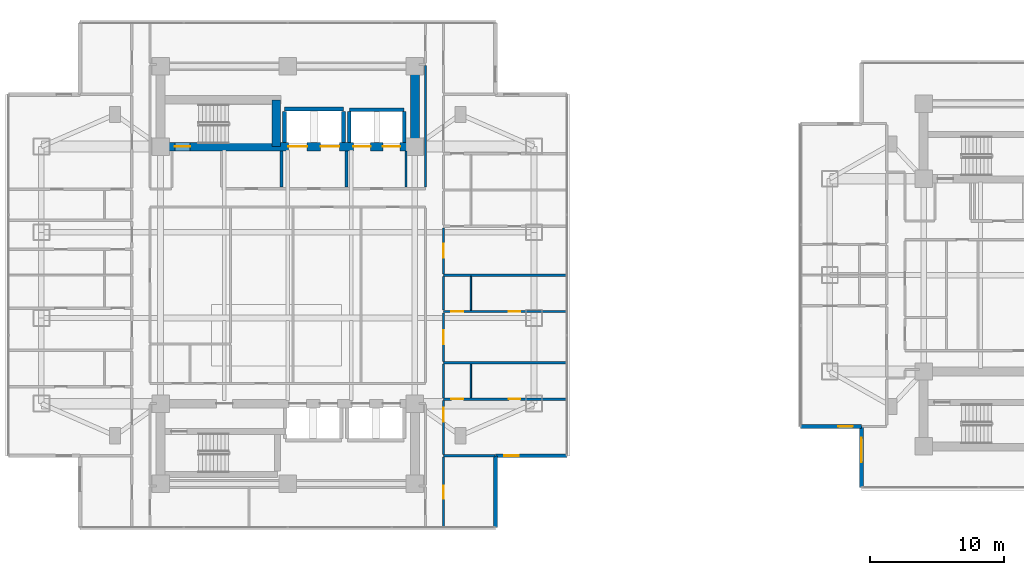
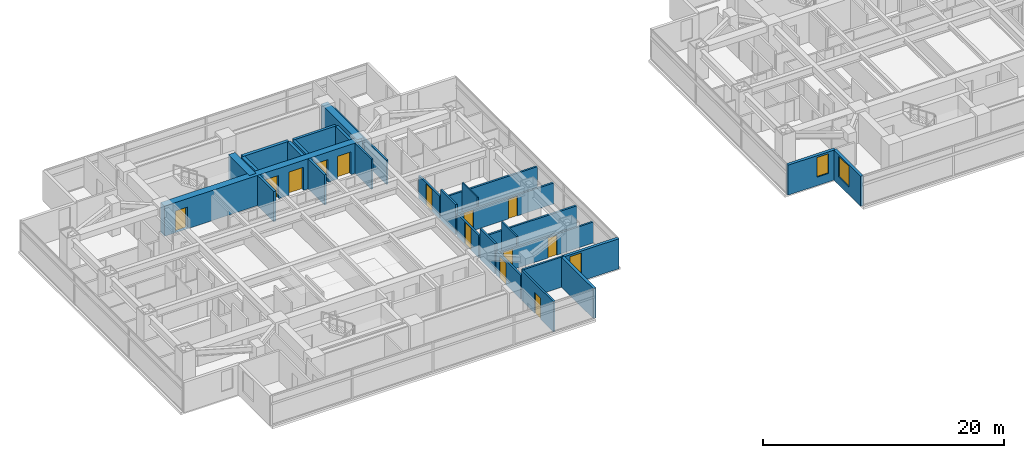
# One storey, part 15 of 27: 30 walls, 13 doors, 3 windows, 16 openings.
"""IFC4 building model written with IfcOpenShell, lengths in metres."""

import ifcopenshell
import ifcopenshell.guid

model = None  # the IFC model being written
_history = None  # IfcOwnerHistory: only IFC2X3 demands one
_inside = {}  # id of a spatial element -> (the spatial element, [elements in it])
_under = {}  # id of a project, library or spatial element -> (it, [spatial elements below it])
_declared = {}  # id of a project -> (the project, [libraries it declares])
_typed = {}  # id of a type object -> (the type object, [elements of that type])
_made_of = {}  # id of a material, layer set ... -> (it, [elements and type objects made of it])


def new_model(schema):
    """Start an empty IFC model of exactly this schema.

    Asked for "IFC4X3", IfcOpenShell would pick the latest addendum, in which some entities
    have other attributes; the version numbers below select the first issue.
    IFC2X3 requires an IfcOwnerHistory on every rooted entity: one is made here for all.
    """
    global model, _history
    if schema == "IFC4X3":
        model = ifcopenshell.file(schema_version=(4, 3, 0, 0))
    else:
        model = ifcopenshell.file(schema=schema)
    _inside.clear()
    _under.clear()
    _declared.clear()
    _typed.clear()
    _made_of.clear()
    _history = None
    if model.schema == "IFC2X3":
        org = make("IfcOrganization", Name="unknown")
        user = make(
            "IfcPersonAndOrganization",
            ThePerson=make("IfcPerson", FamilyName="unknown"),
            TheOrganization=org,
        )
        app = make(
            "IfcApplication",
            ApplicationDeveloper=org,
            Version="unknown",
            ApplicationFullName="unknown",
            ApplicationIdentifier="unknown",
        )
        _history = make(
            "IfcOwnerHistory",
            OwningUser=user,
            OwningApplication=app,
            ChangeAction="ADDED",
            CreationDate=0,
        )
    return model


def make(cls, **values):
    """One entity of the class cls with the attributes given. An attribute that is None is left unset."""
    return model.create_entity(
        cls, **{name: value for name, value in values.items() if value is not None}
    )


def rooted(cls, **values):
    """An entity with a GlobalId (a new one), such as an element, a storey or a relation."""
    return make(cls, GlobalId=ifcopenshell.guid.new(), OwnerHistory=_history, **values)


def si_unit(unit_type, name, prefix=None):
    """IfcSIUnit, for example si_unit("LENGTHUNIT", "METRE", prefix="MILLI")."""
    return make("IfcSIUnit", UnitType=unit_type, Prefix=prefix, Name=name)


def assignment(units):
    """IfcUnitAssignment: the units of a project."""
    return None if units is None else make("IfcUnitAssignment", Units=units)


def point(xyz):
    """IfcCartesianPoint."""
    return None if xyz is None else make("IfcCartesianPoint", Coordinates=xyz)


def direction(xyz):
    """IfcDirection."""
    return None if xyz is None else make("IfcDirection", DirectionRatios=xyz)


def frame(location, z_axis=None, x_axis=None):
    """IfcAxis2Placement3D, a coordinate frame: its origin and axes. An axis left out is left unset."""
    return make(
        "IfcAxis2Placement3D",
        Location=point(location),
        Axis=direction(z_axis),
        RefDirection=direction(x_axis),
    )


def frame_2d(location, x_axis=None):
    """IfcAxis2Placement2D, a coordinate frame in the plane: its origin and x axis."""
    return make(
        "IfcAxis2Placement2D", Location=point(location), RefDirection=direction(x_axis)
    )


def origin():
    """The frame at (0, 0, 0) with its axes left unset."""
    return frame((0.0, 0.0, 0.0))


def place(relative_to, where):
    """IfcLocalPlacement: puts the frame where relative to a parent placement (None: the world)."""
    return make(
        "IfcLocalPlacement", PlacementRelTo=relative_to, RelativePlacement=where
    )


def context(
    kind, dimensions, precision=None, world=None, true_north=None, identifier=None
):
    """IfcGeometricRepresentationContext, for example the 3D "Model" context."""
    return make(
        "IfcGeometricRepresentationContext",
        ContextIdentifier=identifier,
        ContextType=kind,
        CoordinateSpaceDimension=dimensions,
        Precision=precision,
        WorldCoordinateSystem=world,
        TrueNorth=true_north,
    )


def subcontext(parent, identifier, kind, view, scale=None):
    """IfcGeometricRepresentationSubContext, for example "Body" below "Model"."""
    return make(
        "IfcGeometricRepresentationSubContext",
        ContextIdentifier=identifier,
        ContextType=kind,
        ParentContext=parent,
        TargetScale=scale,
        TargetView=view,
    )


def project(units=None, contexts=None):
    """IfcProject with its units and contexts."""
    return rooted(
        "IfcProject",
        Name="project",
        RepresentationContexts=contexts,
        UnitsInContext=assignment(units),
    )


def spatial(cls, under=None, at=None, **own):
    """A site, building, storey or space (cls), placed at a placement, below another one or the project."""
    s = rooted(cls, ObjectPlacement=at, **own)
    if under is not None:
        _under.setdefault(under.id(), (under, []))[1].append(s)
    return s


def profile(cls, at=None, kind="AREA", **sizes):
    """A parametric profile (cls). Its sizes go by their IFC names, for example OverallWidth=200.0."""
    return make(cls, ProfileType=kind, Position=at, **sizes)


def rectangle(**sizes):
    """IfcRectangleProfileDef."""
    return profile("IfcRectangleProfileDef", **sizes)


def extrude(swept, where, along, depth):
    """IfcExtrudedAreaSolid: the profile swept, set in the frame where, extruded along a direction by depth."""
    return make(
        "IfcExtrudedAreaSolid",
        SweptArea=swept,
        Position=where,
        ExtrudedDirection=direction(along),
        Depth=depth,
    )


def shape(context_of_items, identifier, shape_type, items):
    """IfcShapeRepresentation: the items that make up one representation, for example the "Body"."""
    return make(
        "IfcShapeRepresentation",
        ContextOfItems=context_of_items,
        RepresentationIdentifier=identifier,
        RepresentationType=shape_type,
        Items=items,
    )


def material(Name=None, Category=None):
    """IfcMaterial."""
    return make("IfcMaterial", Name=Name, Category=Category)


def layer(
    of_material, thickness, ventilated=None, Name=None, Category=None, Priority=None
):
    """IfcMaterialLayer: one layer of a wall or slab, of a material (None: an air gap)."""
    return make(
        "IfcMaterialLayer",
        Material=of_material,
        LayerThickness=thickness,
        IsVentilated=ventilated,
        Name=Name,
        Category=Category,
        Priority=Priority,
    )


def layer_set(layers, Name=None):
    """IfcMaterialLayerSet."""
    return make("IfcMaterialLayerSet", MaterialLayers=layers, LayerSetName=Name)


def made_of(thing, what):
    """Note that an element or type object is made of a material, layer set ...; save() writes the relation."""
    if what is not None:
        _made_of.setdefault(what.id(), (what, []))[1].append(thing)
    return thing


def type_object(cls, material=None, **own):
    """A type object (cls), such as IfcWallType, which elements share."""
    return made_of(rooted(cls, **own), material)


def element(
    cls,
    number,
    at=None,
    inside=None,
    cuts=None,
    type_object=None,
    material=None,
    context=None,
    identifier="Body",
    shape_type=None,
    held_by="IfcProductDefinitionShape",
    body=None,
    shapes=None,
    **own,
):
    """One element of the class cls, such as IfcWall. Its Tag is "e" and its number.

    at: its placement. inside: the storey or other place that contains it. cuts: it is an
    opening in that element (IfcRelVoidsElement). A single representation is given by context,
    identifier, shape_type and body (its items); several are given by shapes. held_by: the class
    of the entity that holds the representations. save() writes the other relations.
    """
    e = rooted(cls, Tag="e%d" % number, ObjectPlacement=at, **own)
    if body is not None:
        shapes = [shape(context, identifier, shape_type, body)]
    if shapes is not None:
        e.Representation = make(held_by, Representations=shapes)
    if inside is not None:
        _inside.setdefault(inside.id(), (inside, []))[1].append(e)
    if cuts is not None:
        rooted(
            "IfcRelVoidsElement", RelatingBuildingElement=cuts, RelatedOpeningElement=e
        )
    if type_object is not None:
        _typed.setdefault(type_object.id(), (type_object, []))[1].append(e)
    return made_of(e, material)


def fill(opening, filler):
    """IfcRelFillsElement: the door or window that sits in an opening."""
    return rooted(
        "IfcRelFillsElement",
        RelatingOpeningElement=opening,
        RelatedBuildingElement=filler,
    )


def aggregate(whole, parts):
    """IfcRelAggregates: a whole, such as a stair, and the parts it consists of."""
    return rooted("IfcRelAggregates", RelatingObject=whole, RelatedObjects=parts)


def save(model, path):
    """Write the relations noted so far, then the file.

    IfcRelAggregates (storeys below a building ...), IfcRelContainedInSpatialStructure (elements
    in a storey), IfcRelDefinesByType, IfcRelAssociatesMaterial and IfcRelDeclares: one each for
    every whole, place, type object, material and project.
    """
    for whole, parts in _under.values():
        aggregate(whole, parts)
    for where, things in _inside.values():
        rooted(
            "IfcRelContainedInSpatialStructure",
            RelatedElements=things,
            RelatingStructure=where,
        )
    for kind, things in _typed.values():
        rooted("IfcRelDefinesByType", RelatedObjects=things, RelatingType=kind)
    for what, things in _made_of.values():
        rooted("IfcRelAssociatesMaterial", RelatedObjects=things, RelatingMaterial=what)
    for by, libraries in _declared.values():
        rooted("IfcRelDeclares", RelatingContext=by, RelatedDefinitions=libraries)
    model.write(path)


model = new_model("IFC4")

# Units and contexts
model_context = context("Model", 3, precision=1e-05, world=origin(), true_north=direction((0.0, 1.0)))
body_context = subcontext(model_context, "Body", "Model", "MODEL_VIEW")
ifc_project = project(units=[si_unit("LENGTHUNIT", "METRE"), si_unit("AREAUNIT", "SQUARE_METRE"), si_unit("VOLUMEUNIT", "CUBIC_METRE"), si_unit("PLANEANGLEUNIT", "RADIAN"), si_unit("MASSUNIT", "GRAM", prefix="KILO")], contexts=[model_context])

# Site, building, storey
site_placement = place(None, origin())
site = spatial("IfcSite", under=ifc_project, at=site_placement, CompositionType="ELEMENT")
building_placement = place(site_placement, origin())
building = spatial("IfcBuilding", under=site, at=building_placement, Name="Mirazonda Arch Towers", CompositionType="ELEMENT")
storey_placement = place(building_placement, frame((0.0, 0.0, 55.39990234375)))
storey = spatial("IfcBuildingStorey", under=building, at=storey_placement, Name="L15", CompositionType="ELEMENT", Elevation=55.39990234375)

# Wall
ifc_material_1 = material(Name="Concrete C60/75", Category="concrete")
ifc_layer_1 = layer(ifc_material_1, 0.64990234375, Name="WALL-CORE-650")
ifc_layer_set_1 = layer_set([ifc_layer_1], Name="Concrete C60/75")
wall_type_1 = type_object("IfcWallType", Name="WALL-CORE-650", PredefinedType="SHEAR", material=ifc_layer_set_1)
wall_1_placement = place(storey_placement, frame((30.0, 37.60009765625, 0.0), z_axis=(0.0, 0.0, 1.0), x_axis=(0.0, 1.0, 0.0)))
element("IfcWall", 1, at=wall_1_placement, inside=storey, type_object=wall_type_1, Name="L15 T1N-E Core Shear Wall", PredefinedType="SHEAR", context=body_context, shape_type="SweptSolid", body=[
    extrude(rectangle(XDim=6.0, YDim=0.64990234375, at=frame_2d((3.0, 0.0))), origin(), (0.0, 0.0, 1.0), 3.06005859375),
])

# Wall, openings, doors
wall_2_placement = place(storey_placement, frame((11.0, 37.60009765625, 0.0), z_axis=(0.0, 0.0, 1.0), x_axis=(1.0, 0.0, 0.0)))
wall_2 = element("IfcWall", 2, at=wall_2_placement, inside=storey, type_object=wall_type_1, Name="L15 T1N-S Core Shear Wall", PredefinedType="SHEAR", context=body_context, shape_type="SweptSolid", body=[
    extrude(rectangle(XDim=19.0, YDim=0.64990234375, at=frame_2d((9.5, 0.0))), origin(), (0.0, 0.0, 1.0), 3.06005859375),
])
opening_1_placement = place(wall_2_placement, frame((1.06005859375, 0.0, 0.0)))
opening_1 = element("IfcOpeningElement", 3, at=opening_1_placement, cuts=wall_2, Name="Opening DR-135", PredefinedType="OPENING", context=body_context, shape_type="SweptSolid", body=[
    extrude(rectangle(XDim=1.14990234375, YDim=2.199951171875, at=frame_2d((0.574951171875, 1.10009765625))), frame((0.0, 0.3349609375, 0.0), z_axis=(0.0, -1.0, 0.0), x_axis=(1.0, 0.0, 0.0)), (0.0, 0.0, 1.0), 0.669921875),
])
opening_2_placement = place(wall_2_placement, frame((9.550048828125, 0.0, 0.0)))
opening_2 = element("IfcOpeningElement", 4, at=opening_2_placement, cuts=wall_2, Name="Opening LD-112", PredefinedType="OPENING", context=body_context, shape_type="SweptSolid", body=[
    extrude(rectangle(XDim=1.39990234375, YDim=2.35009765625, at=frame_2d((0.699951171875, 1.175048828125))), frame((0.0, 0.3349609375, 0.0), z_axis=(0.0, -1.0, 0.0), x_axis=(1.0, 0.0, 0.0)), (0.0, 0.0, 1.0), 0.669921875),
])
opening_3_placement = place(wall_2_placement, frame((11.949951171875, 0.0, 0.0)))
opening_3 = element("IfcOpeningElement", 5, at=opening_3_placement, cuts=wall_2, Name="Opening LD-112", PredefinedType="OPENING", context=body_context, shape_type="SweptSolid", body=[
    extrude(rectangle(XDim=1.39990234375, YDim=2.35009765625, at=frame_2d((0.699951171875, 1.175048828125))), frame((0.0, 0.3349609375, 0.0), z_axis=(0.0, -1.0, 0.0), x_axis=(1.0, 0.0, 0.0)), (0.0, 0.0, 1.0), 0.669921875),
])
opening_4_placement = place(wall_2_placement, frame((14.39990234375, 0.0, 0.0)))
opening_4 = element("IfcOpeningElement", 6, at=opening_4_placement, cuts=wall_2, Name="Opening LD-111", PredefinedType="OPENING", context=body_context, shape_type="SweptSolid", body=[
    extrude(rectangle(XDim=1.300048828125, YDim=2.300048828125, at=frame_2d((0.64990234375, 1.14990234375))), frame((0.0, 0.3349609375, 0.0), z_axis=(0.0, -1.0, 0.0), x_axis=(1.0, 0.0, 0.0)), (0.0, 0.0, 1.0), 0.669921875),
])
opening_5_placement = place(wall_2_placement, frame((16.60009765625, 0.0, 0.0)))
opening_5 = element("IfcOpeningElement", 7, at=opening_5_placement, cuts=wall_2, Name="Opening LD-111", PredefinedType="OPENING", context=body_context, shape_type="SweptSolid", body=[
    extrude(rectangle(XDim=1.300048828125, YDim=2.300048828125, at=frame_2d((0.64990234375, 1.14990234375))), frame((0.0, 0.3349609375, 0.0), z_axis=(0.0, -1.0, 0.0), x_axis=(1.0, 0.0, 0.0)), (0.0, 0.0, 1.0), 0.669921875),
])
ifc_material_2 = material(Name="Architectural Brushed Steel S355", Category="steel")
door_type_1 = type_object("IfcDoorType", Name="DOOR-LIFT-FFL-1400", OperationType="NOTDEFINED", PredefinedType="DOOR", material=ifc_material_2)
door_1_placement = place(opening_2_placement, origin())
door_1 = element("IfcDoor", 8, at=door_1_placement, inside=storey, type_object=door_type_1, Name="L15 Lift Landing Sliding Door FFL-T1", OperationType="DOUBLE_DOOR_SLIDING", OverallHeight=2.35009765625, OverallWidth=1.39990234375, PredefinedType="DOOR", context=body_context, shape_type="SweptSolid", body=[
    extrude(rectangle(XDim=1.39990234375, YDim=2.35009765625, at=frame_2d((0.699951171875, 1.175048828125))), frame((0.0, 0.02490234375, 0.0), z_axis=(0.0, -1.0, 0.0), x_axis=(1.0, 0.0, 0.0)), (0.0, 0.0, 1.0), 0.050048828125),
])
fill(opening_2, door_1)
door_2_placement = place(opening_3_placement, origin())
door_2 = element("IfcDoor", 9, at=door_2_placement, inside=storey, type_object=door_type_1, Name="L15 Lift Landing Sliding Door SVL-T1", OperationType="DOUBLE_DOOR_SLIDING", OverallHeight=2.35009765625, OverallWidth=1.39990234375, PredefinedType="DOOR", context=body_context, shape_type="SweptSolid", body=[
    extrude(rectangle(XDim=1.39990234375, YDim=2.35009765625, at=frame_2d((0.699951171875, 1.175048828125))), frame((0.0, 0.02490234375, 0.0), z_axis=(0.0, -1.0, 0.0), x_axis=(1.0, 0.0, 0.0)), (0.0, 0.0, 1.0), 0.050048828125),
])
fill(opening_3, door_2)
door_type_2 = type_object("IfcDoorType", Name="DOOR-LIFT-LAND-1300", OperationType="NOTDEFINED", PredefinedType="DOOR", material=ifc_material_2)
door_3_placement = place(opening_4_placement, origin())
door_3 = element("IfcDoor", 10, at=door_3_placement, inside=storey, type_object=door_type_2, Name="L15 Lift Landing Sliding Door PL-T1L1", OperationType="DOUBLE_DOOR_SLIDING", OverallHeight=2.300048828125, OverallWidth=1.300048828125, PredefinedType="DOOR", context=body_context, shape_type="SweptSolid", body=[
    extrude(rectangle(XDim=1.300048828125, YDim=2.300048828125, at=frame_2d((0.64990234375, 1.14990234375))), frame((0.0, 0.02490234375, 0.0), z_axis=(0.0, -1.0, 0.0), x_axis=(1.0, 0.0, 0.0)), (0.0, 0.0, 1.0), 0.050048828125),
])
fill(opening_4, door_3)
door_4_placement = place(opening_5_placement, origin())
door_4 = element("IfcDoor", 11, at=door_4_placement, inside=storey, type_object=door_type_2, Name="L15 Lift Landing Sliding Door PL-T1L2", OperationType="DOUBLE_DOOR_SLIDING", OverallHeight=2.300048828125, OverallWidth=1.300048828125, PredefinedType="DOOR", context=body_context, shape_type="SweptSolid", body=[
    extrude(rectangle(XDim=1.300048828125, YDim=2.300048828125, at=frame_2d((0.64990234375, 1.14990234375))), frame((0.0, 0.02490234375, 0.0), z_axis=(0.0, -1.0, 0.0), x_axis=(1.0, 0.0, 0.0)), (0.0, 0.0, 1.0), 0.050048828125),
])
fill(opening_5, door_4)
door_type_3 = type_object("IfcDoorType", Name="DOOR-STAIR-FD90-1150", OperationType="NOTDEFINED", PredefinedType="DOOR", material=ifc_material_2)
door_5_placement = place(opening_1_placement, origin())
door_5 = element("IfcDoor", 12, at=door_5_placement, inside=storey, type_object=door_type_3, Name="L15 Protected Exit Stair North Door", OperationType="SINGLE_SWING_RIGHT", OverallHeight=2.199951171875, OverallWidth=1.14990234375, PredefinedType="DOOR", context=body_context, shape_type="SweptSolid", body=[
    extrude(rectangle(XDim=1.14990234375, YDim=2.199951171875, at=frame_2d((0.574951171875, 1.10009765625))), frame((0.0, 0.02490234375, 0.0), z_axis=(0.0, -1.0, 0.0), x_axis=(1.0, 0.0, 0.0)), (0.0, 0.0, 1.0), 0.050048828125),
])
fill(opening_1, door_5)

# Wall
wall_3_placement = place(storey_placement, frame((19.64990234375, 37.60009765625, 0.0), z_axis=(0.0, 0.0, 1.0), x_axis=(0.0, 1.0, 0.0)))
element("IfcWall", 13, at=wall_3_placement, inside=storey, type_object=wall_type_1, Name="L15 T1N-STE Core Shear Wall", PredefinedType="SHEAR", context=body_context, shape_type="SweptSolid", body=[
    extrude(rectangle(XDim=3.492919921875, YDim=0.64990234375, at=frame_2d((1.74658203125, 0.0))), origin(), (0.0, 0.0, 1.0), 3.06005859375),
])

# Wall, opening, window
ifc_material_3 = material(Name="Precast Concrete C40/50", Category="concrete")
ifc_layer_2 = layer(ifc_material_3, 0.280029296875, Name="WALL-EXT-WALL-280")
ifc_layer_set_2 = layer_set([ifc_layer_2], Name="Precast Concrete C40/50")
wall_type_2 = type_object("IfcWallType", Name="WALL-EXT-WALL-280", PredefinedType="SOLIDWALL", material=ifc_layer_set_2)
wall_4_placement = place(storey_placement, frame((36.02001953125, 14.501953125, 0.0), z_axis=(0.0, 0.0, 1.0), x_axis=(1.0, 0.0, 0.0)))
wall_4 = element("IfcWall", 14, at=wall_4_placement, inside=storey, type_object=wall_type_2, Name="L15 T1 Corner Notch Return Wall WL-L15-T1-CSE1", PredefinedType="SOLIDWALL", context=body_context, shape_type="SweptSolid", body=[
    extrude(rectangle(XDim=5.340087890625, YDim=0.280029296875, at=frame_2d((2.669921875, 0.0))), origin(), (0.0, 0.0, 1.0), 3.0400390625),
])
opening_6_placement = place(wall_4_placement, frame((0.64990234375, 0.0, 0.85009765625)))
opening_6 = element("IfcOpeningElement", 15, at=opening_6_placement, cuts=wall_4, Name="Opening WN-108", PredefinedType="OPENING", context=body_context, shape_type="SweptSolid", body=[
    extrude(rectangle(XDim=1.10009765625, YDim=2.0, at=frame_2d((0.550048828125, 1.0))), frame((0.0, 0.14990234375, 0.0), z_axis=(0.0, -1.0, 0.0), x_axis=(1.0, 0.0, 0.0)), (0.0, 0.0, 1.0), 0.300048828125),
])
ifc_material_4 = material(Name="Insulated Low-E Solar Glass", Category="glass")
window_type_1 = type_object("IfcWindowType", Name="WIN-NOTCH-1100x2000", PartitioningType="SINGLE_PANEL", PredefinedType="WINDOW", material=ifc_material_4)
window_1_placement = place(opening_6_placement, origin())
window_1 = element("IfcWindow", 16, at=window_1_placement, inside=storey, type_object=window_type_1, Name="L15 Punched Facade Window WN-L15-T1-CSE1", OverallHeight=2.0, OverallWidth=1.10009765625, PartitioningType="SINGLE_PANEL", PredefinedType="WINDOW", context=body_context, shape_type="SweptSolid", body=[
    extrude(rectangle(XDim=1.10009765625, YDim=2.0, at=frame_2d((0.550048828125, 1.0))), frame((0.0, 0.030029296875, 0.0), z_axis=(0.0, -1.0, 0.0), x_axis=(1.0, 0.0, 0.0)), (0.0, 0.0, 1.0), 0.06005859375),
])
fill(opening_6, window_1)

# Wall
wall_5_placement = place(storey_placement, frame((36.02001953125, 9.162109375, 0.0), z_axis=(0.0, 0.0, 1.0), x_axis=(0.0, 1.0, 0.0)))
element("IfcWall", 17, at=wall_5_placement, inside=storey, type_object=wall_type_2, Name="L15 T1 Corner Notch Return Wall WL-L15-T1-CSE2", PredefinedType="SOLIDWALL", context=body_context, shape_type="SweptSolid", body=[
    extrude(rectangle(XDim=5.33984375, YDim=0.280029296875, at=frame_2d((2.669921875, 0.0))), origin(), (0.0, 0.0, 1.0), 3.0400390625),
])

# Wall, opening, window
wall_6_placement = place(storey_placement, frame((63.367919921875, 16.686767578125, 0.0), z_axis=(0.0, 0.0, 1.0), x_axis=(0.0, -1.0, 0.0)))
wall_6 = element("IfcWall", 18, at=wall_6_placement, inside=storey, type_object=wall_type_2, Name="L15 T2 Notched SW Corner Wall WL-L15-T2-CSW", PredefinedType="SOLIDWALL", context=body_context, shape_type="SweptSolid", body=[
    extrude(rectangle(XDim=4.546142578125, YDim=0.280029296875, at=frame_2d((2.27294921875, 0.0))), origin(), (0.0, 0.0, 1.0), 3.0400390625),
])
opening_7_placement = place(wall_6_placement, frame((0.85009765625, 0.0, 0.7900390625)))
opening_7 = element("IfcOpeningElement", 19, at=opening_7_placement, cuts=wall_6, Name="Opening WN-116", PredefinedType="OPENING", context=body_context, shape_type="SweptSolid", body=[
    extrude(rectangle(XDim=1.800048828125, YDim=2.10009765625, at=frame_2d((0.89990234375, 1.050048828125))), frame((0.0, 0.14990234375, 0.0), z_axis=(0.0, -1.0, 0.0), x_axis=(1.0, 0.0, 0.0)), (0.0, 0.0, 1.0), 0.300048828125),
])
window_type_2 = type_object("IfcWindowType", Name="WIN-HTL-1800x2100", PartitioningType="SINGLE_PANEL", PredefinedType="WINDOW", material=ifc_material_4)
window_2_placement = place(opening_7_placement, origin())
window_2 = element("IfcWindow", 20, at=window_2_placement, inside=storey, type_object=window_type_2, Name="L15 Punched Facade Window WN-L15-T2-CSW", OverallHeight=2.10009765625, OverallWidth=1.800048828125, PartitioningType="SINGLE_PANEL", PredefinedType="WINDOW", context=body_context, shape_type="SweptSolid", body=[
    extrude(rectangle(XDim=1.800048828125, YDim=2.10009765625, at=frame_2d((0.89990234375, 1.050048828125))), frame((0.0, 0.030029296875, 0.0), z_axis=(0.0, -1.0, 0.0), x_axis=(1.0, 0.0, 0.0)), (0.0, 0.0, 1.0), 0.06005859375),
])
fill(opening_7, window_2)

wall_7_placement = place(storey_placement, frame((58.822021484375, 16.686767578125, 0.0), z_axis=(0.0, 0.0, 1.0), x_axis=(1.0, 0.0, 0.0)))
wall_7 = element("IfcWall", 21, at=wall_7_placement, inside=storey, type_object=wall_type_2, Name="L15 T2 Corner Notch Return Wall WL-L15-T2-CSW2", PredefinedType="SOLIDWALL", context=body_context, shape_type="SweptSolid", body=[
    extrude(rectangle(XDim=4.5458984375, YDim=0.280029296875, at=frame_2d((2.27294921875, 0.0))), origin(), (0.0, 0.0, 1.0), 3.0400390625),
])
opening_8_placement = place(wall_7_placement, frame((2.7958984375, 0.0, 0.85009765625)))
opening_8 = element("IfcOpeningElement", 22, at=opening_8_placement, cuts=wall_7, Name="Opening WN-108", PredefinedType="OPENING", context=body_context, shape_type="SweptSolid", body=[
    extrude(rectangle(XDim=1.10009765625, YDim=2.0, at=frame_2d((0.550048828125, 1.0))), frame((0.0, 0.14990234375, 0.0), z_axis=(0.0, -1.0, 0.0), x_axis=(1.0, 0.0, 0.0)), (0.0, 0.0, 1.0), 0.300048828125),
])
window_3_placement = place(opening_8_placement, origin())
window_3 = element("IfcWindow", 23, at=window_3_placement, inside=storey, type_object=window_type_1, Name="L15 Punched Facade Window WN-L15-T2-CSW2", OverallHeight=2.0, OverallWidth=1.10009765625, PartitioningType="SINGLE_PANEL", PredefinedType="WINDOW", context=body_context, shape_type="SweptSolid", body=[
    extrude(rectangle(XDim=1.10009765625, YDim=2.0, at=frame_2d((0.550048828125, 1.0))), frame((0.0, 0.030029296875, 0.0), z_axis=(0.0, -1.0, 0.0), x_axis=(1.0, 0.0, 0.0)), (0.0, 0.0, 1.0), 0.06005859375),
])
fill(opening_8, window_3)

# Walls
ifc_material_5 = material(Name="Concrete C40/50", Category="concrete")
ifc_layer_3 = layer(ifc_material_5, 0.219970703125, Name="WALL-FFL-220")
ifc_layer_set_3 = layer_set([ifc_layer_3], Name="Concrete C40/50")
wall_type_3 = type_object("IfcWallType", Name="WALL-FFL-220", PredefinedType="SOLIDWALL", material=ifc_layer_set_3)
for number, where, z_axis, x_axis, name in (
    (24, (20.02490234375, 34.570068359375, 0.0), (0.0, 0.0, 1.0), (0.0, 1.0, 0.0), "L15 Interior Partition 092"),
    (25, (24.875, 34.570068359375, 0.0), (0.0, 0.0, 1.0), (0.0, 1.0, 0.0), "L15 Interior Partition 100"),
):
    element("IfcWall", number, at=place(storey_placement, frame(where, z_axis=z_axis, x_axis=x_axis)), inside=storey, type_object=wall_type_3, Name=name, PredefinedType="SOLIDWALL", context=body_context, shape_type="SweptSolid", body=[
        extrude(rectangle(XDim=2.7099609375, YDim=0.219970703125, at=frame_2d((1.35498046875, 0.0))), origin(), (0.0, 0.0, 1.0), 3.06005859375),
    ])
ifc_material_6 = material(Name="Fire-Rated Gypsum Stud Partition")
ifc_layer_4 = layer(ifc_material_6, 0.14990234375, Name="WALL-PART-CORR-150")
ifc_layer_set_4 = layer_set([ifc_layer_4], Name="Fire-Rated Gypsum Stud Partition")
wall_type_4 = type_object("IfcWallType", Name="WALL-PART-CORR-150", PredefinedType="PARTITIONING", material=ifc_layer_set_4)
wall_8_placement = place(storey_placement, frame((29.35009765625, 34.570068359375, 0.0), z_axis=(0.0, 0.0, 1.0), x_axis=(0.0, 1.0, 0.0)))
element("IfcWall", 26, at=wall_8_placement, inside=storey, type_object=wall_type_4, Name="L15 Interior Partition 104", PredefinedType="PARTITIONING", context=body_context, shape_type="SweptSolid", body=[
    extrude(rectangle(XDim=2.7099609375, YDim=0.14990234375, at=frame_2d((1.35498046875, 0.0))), origin(), (0.0, 0.0, 1.0), 3.06005859375),
])
wall_9_placement = place(storey_placement, frame((30.800048828125, 34.570068359375, 0.0), z_axis=(0.0, 0.0, 1.0), x_axis=(0.0, 1.0, 0.0)))
element("IfcWall", 27, at=wall_9_placement, inside=storey, type_object=wall_type_4, Name="L15 Interior Partition 109", PredefinedType="PARTITIONING", context=body_context, shape_type="SweptSolid", body=[
    extrude(rectangle(XDim=9.094970703125, YDim=0.14990234375, at=frame_2d((4.54736328125, 0.0))), origin(), (0.0, 0.0, 1.0), 2.43603515625),
])
ifc_material_7 = material(Name="Fire-Rated Gypsum Twin-Stud Assembly")
ifc_layer_5 = layer(ifc_material_7, 0.179931640625, Name="WALL-PART-DEMISE-180")
ifc_layer_set_5 = layer_set([ifc_layer_5], Name="Fire-Rated Gypsum Twin-Stud Assembly")
wall_type_5 = type_object("IfcWallType", Name="WALL-PART-DEMISE-180", PredefinedType="PARTITIONING", material=ifc_layer_set_5)
wall_10_placement = place(storey_placement, frame((32.139892578125, 14.501953125, 0.0), z_axis=(0.0, 0.0, 1.0), x_axis=(1.0, 0.0, 0.0)))
element("IfcWall", 28, at=wall_10_placement, inside=storey, type_object=wall_type_5, Name="L15 Interior Partition 005", PredefinedType="PARTITIONING", context=body_context, shape_type="SweptSolid", body=[
    extrude(rectangle(XDim=3.860107421875, YDim=0.179931640625, at=frame_2d((1.93017578125, 0.0))), origin(), (0.0, 0.0, 1.0), 3.06005859375),
])

# Wall, openings, doors
wall_11_placement = place(storey_placement, frame((32.139892578125, 18.736083984375, 0.0), z_axis=(0.0, 0.0, 1.0), x_axis=(1.0, 0.0, 0.0)))
wall_11 = element("IfcWall", 29, at=wall_11_placement, inside=storey, type_object=wall_type_5, Name="L15 Interior Partition 015", PredefinedType="PARTITIONING", context=body_context, shape_type="SweptSolid", body=[
    extrude(rectangle(XDim=9.22021484375, YDim=0.179931640625, at=frame_2d((4.610107421875, 0.0))), origin(), (0.0, 0.0, 1.0), 2.125),
])
opening_9_placement = place(wall_11_placement, frame((4.885009765625, 0.0, 0.0)))
opening_9 = element("IfcOpeningElement", 30, at=opening_9_placement, cuts=wall_11, Name="Opening DR-128", PredefinedType="OPENING", context=body_context, shape_type="SweptSolid", body=[
    extrude(rectangle(XDim=0.85009765625, YDim=2.010009765625, at=frame_2d((0.425048828125, 1.0048828125))), frame((0.0, 0.099853515625, 0.0), z_axis=(0.0, -1.0, 0.0), x_axis=(1.0, 0.0, 0.0)), (0.0, 0.0, 1.0), 0.199951171875),
])
opening_10_placement = place(wall_11_placement, frame((0.590087890625, 0.0, 0.0)))
opening_10 = element("IfcOpeningElement", 31, at=opening_10_placement, cuts=wall_11, Name="Opening DR-120", PredefinedType="OPENING", context=body_context, shape_type="SweptSolid", body=[
    extrude(rectangle(XDim=0.89990234375, YDim=2.10009765625, at=frame_2d((0.449951171875, 1.050048828125))), frame((0.0, 0.099853515625, 0.0), z_axis=(0.0, -1.0, 0.0), x_axis=(1.0, 0.0, 0.0)), (0.0, 0.0, 1.0), 0.199951171875),
])
door_type_4 = type_object("IfcDoorType", Name="DOOR-RISER-FD60-850", OperationType="NOTDEFINED", PredefinedType="DOOR", material=ifc_material_2)
door_6_placement = place(opening_9_placement, origin())
door_6 = element("IfcDoor", 32, at=door_6_placement, inside=storey, type_object=door_type_4, Name="L15 Guestroom Study 1 Door", OperationType="SINGLE_SWING_RIGHT", OverallHeight=2.010009765625, OverallWidth=0.85009765625, PredefinedType="DOOR", context=body_context, shape_type="SweptSolid", body=[
    extrude(rectangle(XDim=0.85009765625, YDim=2.010009765625, at=frame_2d((0.425048828125, 1.0048828125))), frame((0.0, 0.02490234375, 0.0), z_axis=(0.0, -1.0, 0.0), x_axis=(1.0, 0.0, 0.0)), (0.0, 0.0, 1.0), 0.050048828125),
])
fill(opening_9, door_6)
door_type_5 = type_object("IfcDoorType", Name="DOOR-WC-900", OperationType="NOTDEFINED", PredefinedType="DOOR", material=ifc_material_2)
door_7_placement = place(opening_10_placement, origin())
door_7 = element("IfcDoor", 33, at=door_7_placement, inside=storey, type_object=door_type_5, Name="L15 En-Suite Bathroom 1 Door", OperationType="SINGLE_SWING_LEFT", OverallHeight=2.10009765625, OverallWidth=0.89990234375, PredefinedType="DOOR", context=body_context, shape_type="SweptSolid", body=[
    extrude(rectangle(XDim=0.89990234375, YDim=2.10009765625, at=frame_2d((0.449951171875, 1.050048828125))), frame((0.0, 0.02490234375, 0.0), z_axis=(0.0, -1.0, 0.0), x_axis=(1.0, 0.0, 0.0)), (0.0, 0.0, 1.0), 0.050048828125),
])
fill(opening_10, door_7)

# Wall
wall_12_placement = place(storey_placement, frame((32.139892578125, 21.4560546875, 0.0), z_axis=(0.0, 0.0, 1.0), x_axis=(1.0, 0.0, 0.0)))
element("IfcWall", 34, at=wall_12_placement, inside=storey, type_object=wall_type_5, Name="L15 Interior Partition 022", PredefinedType="PARTITIONING", context=body_context, shape_type="SweptSolid", body=[
    extrude(rectangle(XDim=9.22021484375, YDim=0.179931640625, at=frame_2d((4.610107421875, 0.0))), origin(), (0.0, 0.0, 1.0), 2.125),
])

# Wall, openings, doors
wall_13_placement = place(storey_placement, frame((32.139892578125, 25.280029296875, 0.0), z_axis=(0.0, 0.0, 1.0), x_axis=(1.0, 0.0, 0.0)))
wall_13 = element("IfcWall", 35, at=wall_13_placement, inside=storey, type_object=wall_type_5, Name="L15 Interior Partition 028", PredefinedType="PARTITIONING", context=body_context, shape_type="SweptSolid", body=[
    extrude(rectangle(XDim=9.22021484375, YDim=0.179931640625, at=frame_2d((4.610107421875, 0.0))), origin(), (0.0, 0.0, 1.0), 2.125),
])
opening_11_placement = place(wall_13_placement, frame((4.885009765625, 0.0, 0.0)))
opening_11 = element("IfcOpeningElement", 36, at=opening_11_placement, cuts=wall_13, Name="Opening DR-128", PredefinedType="OPENING", context=body_context, shape_type="SweptSolid", body=[
    extrude(rectangle(XDim=0.85009765625, YDim=2.010009765625, at=frame_2d((0.425048828125, 1.0048828125))), frame((0.0, 0.099853515625, 0.0), z_axis=(0.0, -1.0, 0.0), x_axis=(1.0, 0.0, 0.0)), (0.0, 0.0, 1.0), 0.199951171875),
])
opening_12_placement = place(wall_13_placement, frame((0.590087890625, 0.0, 0.0)))
opening_12 = element("IfcOpeningElement", 37, at=opening_12_placement, cuts=wall_13, Name="Opening DR-120", PredefinedType="OPENING", context=body_context, shape_type="SweptSolid", body=[
    extrude(rectangle(XDim=0.89990234375, YDim=2.10009765625, at=frame_2d((0.449951171875, 1.050048828125))), frame((0.0, 0.099853515625, 0.0), z_axis=(0.0, -1.0, 0.0), x_axis=(1.0, 0.0, 0.0)), (0.0, 0.0, 1.0), 0.199951171875),
])
door_8_placement = place(opening_11_placement, origin())
door_8 = element("IfcDoor", 38, at=door_8_placement, inside=storey, type_object=door_type_4, Name="L15 Guestroom Study 2 Door", OperationType="SINGLE_SWING_LEFT", OverallHeight=2.010009765625, OverallWidth=0.85009765625, PredefinedType="DOOR", context=body_context, shape_type="SweptSolid", body=[
    extrude(rectangle(XDim=0.85009765625, YDim=2.010009765625, at=frame_2d((0.425048828125, 1.0048828125))), frame((0.0, 0.02490234375, 0.0), z_axis=(0.0, -1.0, 0.0), x_axis=(1.0, 0.0, 0.0)), (0.0, 0.0, 1.0), 0.050048828125),
])
fill(opening_11, door_8)
door_9_placement = place(opening_12_placement, origin())
door_9 = element("IfcDoor", 39, at=door_9_placement, inside=storey, type_object=door_type_5, Name="L15 En-Suite Bathroom 2 Door", OperationType="SINGLE_SWING_RIGHT", OverallHeight=2.10009765625, OverallWidth=0.89990234375, PredefinedType="DOOR", context=body_context, shape_type="SweptSolid", body=[
    extrude(rectangle(XDim=0.89990234375, YDim=2.10009765625, at=frame_2d((0.449951171875, 1.050048828125))), frame((0.0, 0.02490234375, 0.0), z_axis=(0.0, -1.0, 0.0), x_axis=(1.0, 0.0, 0.0)), (0.0, 0.0, 1.0), 0.050048828125),
])
fill(opening_12, door_9)

# Wall
wall_14_placement = place(storey_placement, frame((32.139892578125, 28.0, 0.0), z_axis=(0.0, 0.0, 1.0), x_axis=(1.0, 0.0, 0.0)))
element("IfcWall", 40, at=wall_14_placement, inside=storey, type_object=wall_type_5, Name="L15 Interior Partition 034", PredefinedType="PARTITIONING", context=body_context, shape_type="SweptSolid", body=[
    extrude(rectangle(XDim=9.22021484375, YDim=0.179931640625, at=frame_2d((4.610107421875, 0.0))), origin(), (0.0, 0.0, 1.0), 2.125),
])

# Wall, opening, door
wall_15_placement = place(storey_placement, frame((32.139892578125, 9.162109375, 0.0), z_axis=(0.0, 0.0, 1.0), x_axis=(0.0, 1.0, 0.0)))
wall_15 = element("IfcWall", 41, at=wall_15_placement, inside=storey, type_object=wall_type_5, Name="L15 Interior Partition 111", PredefinedType="PARTITIONING", context=body_context, shape_type="SweptSolid", body=[
    extrude(rectangle(XDim=5.239990234375, YDim=0.179931640625, at=frame_2d((2.6201171875, 0.0))), origin(), (0.0, 0.0, 1.0), 3.06005859375),
])
opening_13_placement = place(wall_15_placement, frame((2.14501953125, 0.0, 0.0)))
opening_13 = element("IfcOpeningElement", 42, at=opening_13_placement, cuts=wall_15, Name="Opening DR-104", PredefinedType="OPENING", context=body_context, shape_type="SweptSolid", body=[
    extrude(rectangle(XDim=0.949951171875, YDim=2.14990234375, at=frame_2d((0.47509765625, 1.074951171875))), frame((0.0, 0.099853515625, 0.0), z_axis=(0.0, -1.0, 0.0), x_axis=(1.0, 0.0, 0.0)), (0.0, 0.0, 1.0), 0.199951171875),
])
door_type_6 = type_object("IfcDoorType", Name="DOOR-ROOM-950", OperationType="NOTDEFINED", PredefinedType="DOOR", material=ifc_material_2)
door_10_placement = place(opening_13_placement, origin())
door_10 = element("IfcDoor", 43, at=door_10_placement, inside=storey, type_object=door_type_6, Name="L15 South Horizon Lounge Alcove East Door", OperationType="SINGLE_SWING_LEFT", OverallHeight=2.14990234375, OverallWidth=0.949951171875, PredefinedType="DOOR", context=body_context, shape_type="SweptSolid", body=[
    extrude(rectangle(XDim=0.949951171875, YDim=2.14990234375, at=frame_2d((0.47509765625, 1.074951171875))), frame((0.0, 0.02490234375, 0.0), z_axis=(0.0, -1.0, 0.0), x_axis=(1.0, 0.0, 0.0)), (0.0, 0.0, 1.0), 0.050048828125),
])
fill(opening_13, door_10)

wall_16_placement = place(storey_placement, frame((32.139892578125, 14.60205078125, 0.0), z_axis=(0.0, 0.0, 1.0), x_axis=(0.0, 1.0, 0.0)))
wall_16 = element("IfcWall", 44, at=wall_16_placement, inside=storey, type_object=wall_type_5, Name="L15 Interior Partition 112", PredefinedType="PARTITIONING", context=body_context, shape_type="SweptSolid", body=[
    extrude(rectangle(XDim=4.033935546875, YDim=0.179931640625, at=frame_2d((2.01708984375, 0.0))), origin(), (0.0, 0.0, 1.0), 2.43603515625),
])
opening_14_placement = place(wall_16_placement, frame((2.44189453125, 0.0, 0.0)))
opening_14 = element("IfcOpeningElement", 45, at=opening_14_placement, cuts=wall_16, Name="Opening DR-121", PredefinedType="OPENING", context=body_context, shape_type="SweptSolid", body=[
    extrude(rectangle(XDim=1.050048828125, YDim=2.199951171875, at=frame_2d((0.52490234375, 1.10009765625))), frame((0.0, 0.099853515625, 0.0), z_axis=(0.0, -1.0, 0.0), x_axis=(1.0, 0.0, 0.0)), (0.0, 0.0, 1.0), 0.199951171875),
])
door_type_7 = type_object("IfcDoorType", Name="DOOR-SUITE-FD60-1050", OperationType="NOTDEFINED", PredefinedType="DOOR", material=ifc_material_2)
door_11_placement = place(opening_14_placement, origin())
door_11 = element("IfcDoor", 46, at=door_11_placement, inside=storey, type_object=door_type_7, Name="L15 King Hotel Guestroom 1 Door", OperationType="SINGLE_SWING_LEFT", OverallHeight=2.199951171875, OverallWidth=1.050048828125, PredefinedType="DOOR", context=body_context, shape_type="SweptSolid", body=[
    extrude(rectangle(XDim=1.050048828125, YDim=2.199951171875, at=frame_2d((0.52490234375, 1.10009765625))), frame((0.0, 0.02490234375, 0.0), z_axis=(0.0, -1.0, 0.0), x_axis=(1.0, 0.0, 0.0)), (0.0, 0.0, 1.0), 0.050048828125),
])
fill(opening_14, door_11)

# Wall
wall_17_placement = place(storey_placement, frame((32.139892578125, 18.8359375, 0.0), z_axis=(0.0, 0.0, 1.0), x_axis=(0.0, 1.0, 0.0)))
element("IfcWall", 47, at=wall_17_placement, inside=storey, type_object=wall_type_5, Name="L15 Interior Partition 113", PredefinedType="PARTITIONING", context=body_context, shape_type="SweptSolid", body=[
    extrude(rectangle(XDim=2.52001953125, YDim=0.179931640625, at=frame_2d((1.260009765625, 0.0))), origin(), (0.0, 0.0, 1.0), 3.06005859375),
])

# Wall, opening, door
wall_18_placement = place(storey_placement, frame((32.139892578125, 21.555908203125, 0.0), z_axis=(0.0, 0.0, 1.0), x_axis=(0.0, 1.0, 0.0)))
wall_18 = element("IfcWall", 48, at=wall_18_placement, inside=storey, type_object=wall_type_5, Name="L15 Interior Partition 114", PredefinedType="PARTITIONING", context=body_context, shape_type="SweptSolid", body=[
    extrude(rectangle(XDim=3.6240234375, YDim=0.179931640625, at=frame_2d((1.81201171875, 0.0))), origin(), (0.0, 0.0, 1.0), 2.279052734375),
])
opening_15_placement = place(wall_18_placement, frame((1.287109375, 0.0, 0.0)))
opening_15 = element("IfcOpeningElement", 49, at=opening_15_placement, cuts=wall_18, Name="Opening DR-121", PredefinedType="OPENING", context=body_context, shape_type="SweptSolid", body=[
    extrude(rectangle(XDim=1.050048828125, YDim=2.199951171875, at=frame_2d((0.52490234375, 1.10009765625))), frame((0.0, 0.099853515625, 0.0), z_axis=(0.0, -1.0, 0.0), x_axis=(1.0, 0.0, 0.0)), (0.0, 0.0, 1.0), 0.199951171875),
])
door_12_placement = place(opening_15_placement, origin())
door_12 = element("IfcDoor", 50, at=door_12_placement, inside=storey, type_object=door_type_7, Name="L15 Twin Hotel Guestroom 2 Door", OperationType="SINGLE_SWING_RIGHT", OverallHeight=2.199951171875, OverallWidth=1.050048828125, PredefinedType="DOOR", context=body_context, shape_type="SweptSolid", body=[
    extrude(rectangle(XDim=1.050048828125, YDim=2.199951171875, at=frame_2d((0.52490234375, 1.10009765625))), frame((0.0, 0.02490234375, 0.0), z_axis=(0.0, -1.0, 0.0), x_axis=(1.0, 0.0, 0.0)), (0.0, 0.0, 1.0), 0.050048828125),
])
fill(opening_15, door_12)

# Wall
wall_19_placement = place(storey_placement, frame((32.139892578125, 25.3798828125, 0.0), z_axis=(0.0, 0.0, 1.0), x_axis=(0.0, 1.0, 0.0)))
element("IfcWall", 51, at=wall_19_placement, inside=storey, type_object=wall_type_5, Name="L15 Interior Partition 115", PredefinedType="PARTITIONING", context=body_context, shape_type="SweptSolid", body=[
    extrude(rectangle(XDim=2.52001953125, YDim=0.179931640625, at=frame_2d((1.260009765625, 0.0))), origin(), (0.0, 0.0, 1.0), 3.06005859375),
])

# Wall, opening, door
wall_20_placement = place(storey_placement, frame((32.139892578125, 28.10009765625, 0.0), z_axis=(0.0, 0.0, 1.0), x_axis=(0.0, 1.0, 0.0)))
wall_20 = element("IfcWall", 52, at=wall_20_placement, inside=storey, type_object=wall_type_5, Name="L15 Interior Partition 116", PredefinedType="PARTITIONING", context=body_context, shape_type="SweptSolid", body=[
    extrude(rectangle(XDim=3.43701171875, YDim=0.179931640625, at=frame_2d((1.718505859375, 0.0))), origin(), (0.0, 0.0, 1.0), 2.279052734375),
])
opening_16_placement = place(wall_20_placement, frame((1.193603515625, 0.0, 0.0)))
opening_16 = element("IfcOpeningElement", 53, at=opening_16_placement, cuts=wall_20, Name="Opening DR-121", PredefinedType="OPENING", context=body_context, shape_type="SweptSolid", body=[
    extrude(rectangle(XDim=1.050048828125, YDim=2.199951171875, at=frame_2d((0.52490234375, 1.10009765625))), frame((0.0, 0.099853515625, 0.0), z_axis=(0.0, -1.0, 0.0), x_axis=(1.0, 0.0, 0.0)), (0.0, 0.0, 1.0), 0.199951171875),
])
door_13_placement = place(opening_16_placement, origin())
door_13 = element("IfcDoor", 54, at=door_13_placement, inside=storey, type_object=door_type_7, Name="L15 King Hotel Guestroom 3 Door", OperationType="SINGLE_SWING_LEFT", OverallHeight=2.199951171875, OverallWidth=1.050048828125, PredefinedType="DOOR", context=body_context, shape_type="SweptSolid", body=[
    extrude(rectangle(XDim=1.050048828125, YDim=2.199951171875, at=frame_2d((0.52490234375, 1.10009765625))), frame((0.0, 0.02490234375, 0.0), z_axis=(0.0, -1.0, 0.0), x_axis=(1.0, 0.0, 0.0)), (0.0, 0.0, 1.0), 0.050048828125),
])
fill(opening_16, door_13)

# Walls
ifc_material_8 = material(Name="Acoustic Fire-Rated Gypsum Partition")
ifc_layer_6 = layer(ifc_material_8, 0.125, Name="WALL-PART-UNIT-125")
ifc_layer_set_6 = layer_set([ifc_layer_6], Name="Acoustic Fire-Rated Gypsum Partition")
wall_type_6 = type_object("IfcWallType", Name="WALL-PART-UNIT-125", PredefinedType="PARTITIONING", material=ifc_layer_set_6)
for number, where, z_axis, x_axis, name in (
    (55, (34.179931640625, 18.8359375, 0.0), (0.0, 0.0, 1.0), (0.0, 1.0, 0.0), "L15 Interior Partition 121"),
    (56, (34.179931640625, 25.3798828125, 0.0), (0.0, 0.0, 1.0), (0.0, 1.0, 0.0), "L15 Interior Partition 122"),
):
    element("IfcWall", number, at=place(storey_placement, frame(where, z_axis=z_axis, x_axis=x_axis)), inside=storey, type_object=wall_type_6, Name=name, PredefinedType="PARTITIONING", context=body_context, shape_type="SweptSolid", body=[
        extrude(rectangle(XDim=2.52001953125, YDim=0.125, at=frame_2d((1.260009765625, 0.0))), origin(), (0.0, 0.0, 1.0), 3.06005859375),
    ])
ifc_layer_7 = layer(ifc_material_5, 0.25, Name="WALL-SHAFT-250")
ifc_layer_set_7 = layer_set([ifc_layer_7], Name="Concrete C40/50")
wall_type_7 = type_object("IfcWallType", Name="WALL-SHAFT-250", PredefinedType="SOLIDWALL", material=ifc_layer_set_7)
wall_21_placement = place(storey_placement, frame((25.10009765625, 40.35009765625, 0.0), z_axis=(0.0, 0.0, 1.0), x_axis=(1.0, 0.0, 0.0)))
element("IfcWall", 57, at=wall_21_placement, inside=storey, type_object=wall_type_7, Name="L15 Interior Partition 059", PredefinedType="SOLIDWALL", context=body_context, shape_type="SweptSolid", body=[
    extrude(rectangle(XDim=4.099853515625, YDim=0.25, at=frame_2d((2.0498046875, 0.0))), origin(), (0.0, 0.0, 1.0), 3.06005859375),
])
for number, where, z_axis, x_axis, name in (
    (58, (25.10009765625, 37.919921875, 0.0), (0.0, 0.0, 1.0), (0.0, 1.0, 0.0), "L15 Interior Partition 101"),
    (59, (29.199951171875, 37.919921875, 0.0), (0.0, 0.0, 1.0), (0.0, 1.0, 0.0), "L15 Interior Partition 105"),
):
    element("IfcWall", number, at=place(storey_placement, frame(where, z_axis=z_axis, x_axis=x_axis)), inside=storey, type_object=wall_type_7, Name=name, PredefinedType="SOLIDWALL", context=body_context, shape_type="SweptSolid", body=[
        extrude(rectangle(XDim=2.295166015625, YDim=0.25, at=frame_2d((1.1474609375, 0.0))), origin(), (0.0, 0.0, 1.0), 3.06005859375),
    ])
ifc_material_9 = material(Name="Concrete C50/60", Category="concrete")
ifc_layer_8 = layer(ifc_material_9, 0.300048828125, Name="WALL-SHAFT-300")
ifc_layer_set_8 = layer_set([ifc_layer_8], Name="Concrete C50/60")
wall_type_8 = type_object("IfcWallType", Name="WALL-SHAFT-300", PredefinedType="SOLIDWALL", material=ifc_layer_set_8)
wall_22_placement = place(storey_placement, frame((20.25, 40.39990234375, 0.0), z_axis=(0.0, 0.0, 1.0), x_axis=(1.0, 0.0, 0.0)))
element("IfcWall", 60, at=wall_22_placement, inside=storey, type_object=wall_type_8, Name="L15 Interior Partition 060", PredefinedType="SOLIDWALL", context=body_context, shape_type="SweptSolid", body=[
    extrude(rectangle(XDim=4.39990234375, YDim=0.300048828125, at=frame_2d((2.199951171875, 0.0))), origin(), (0.0, 0.0, 1.0), 3.06005859375),
])
for number, where, z_axis, x_axis, name in (
    (61, (20.25, 37.919921875, 0.0), (0.0, 0.0, 1.0), (0.0, 1.0, 0.0), "L15 Interior Partition 095"),
    (62, (24.64990234375, 37.919921875, 0.0), (0.0, 0.0, 1.0), (0.0, 1.0, 0.0), "L15 Interior Partition 098"),
):
    element("IfcWall", number, at=place(storey_placement, frame(where, z_axis=z_axis, x_axis=x_axis)), inside=storey, type_object=wall_type_8, Name=name, PredefinedType="SOLIDWALL", context=body_context, shape_type="SweptSolid", body=[
        extrude(rectangle(XDim=2.320068359375, YDim=0.300048828125, at=frame_2d((1.16015625, 0.0))), origin(), (0.0, 0.0, 1.0), 3.06005859375),
    ])

save(model, "model.ifc")
